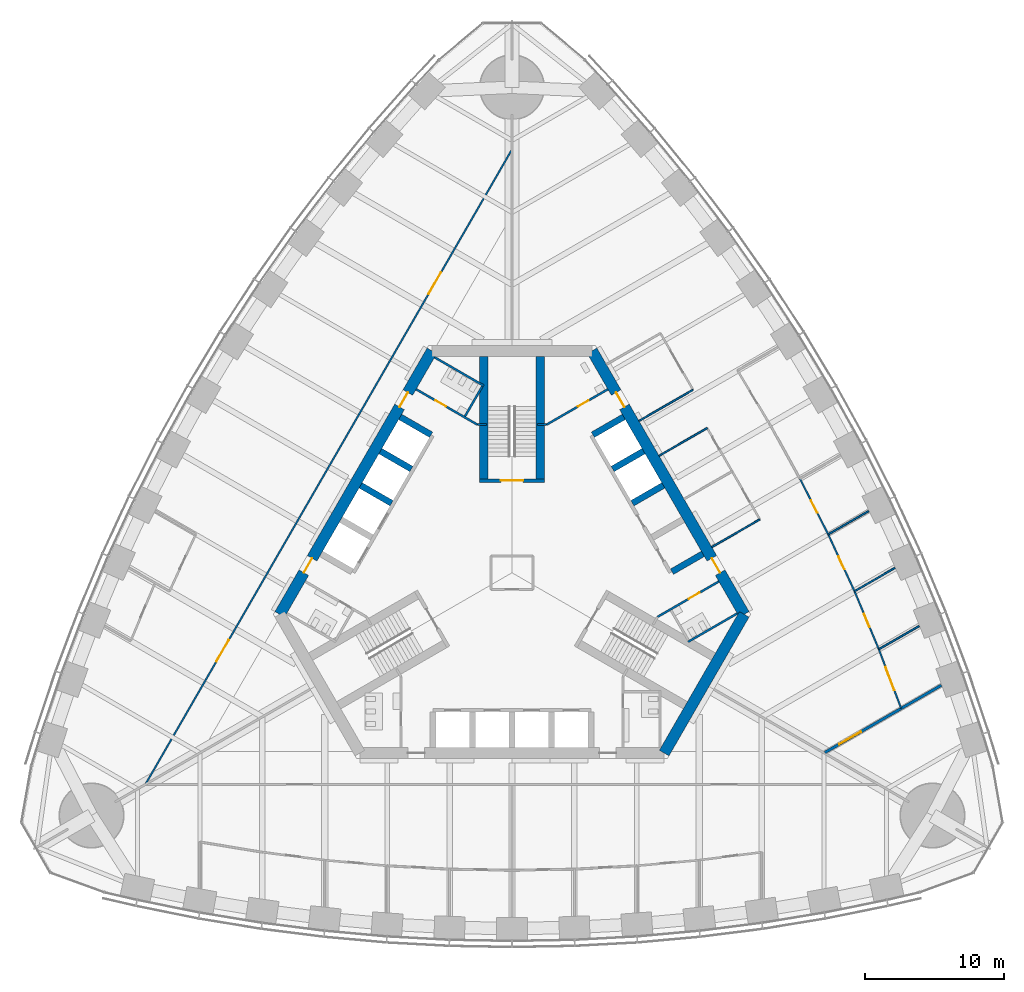
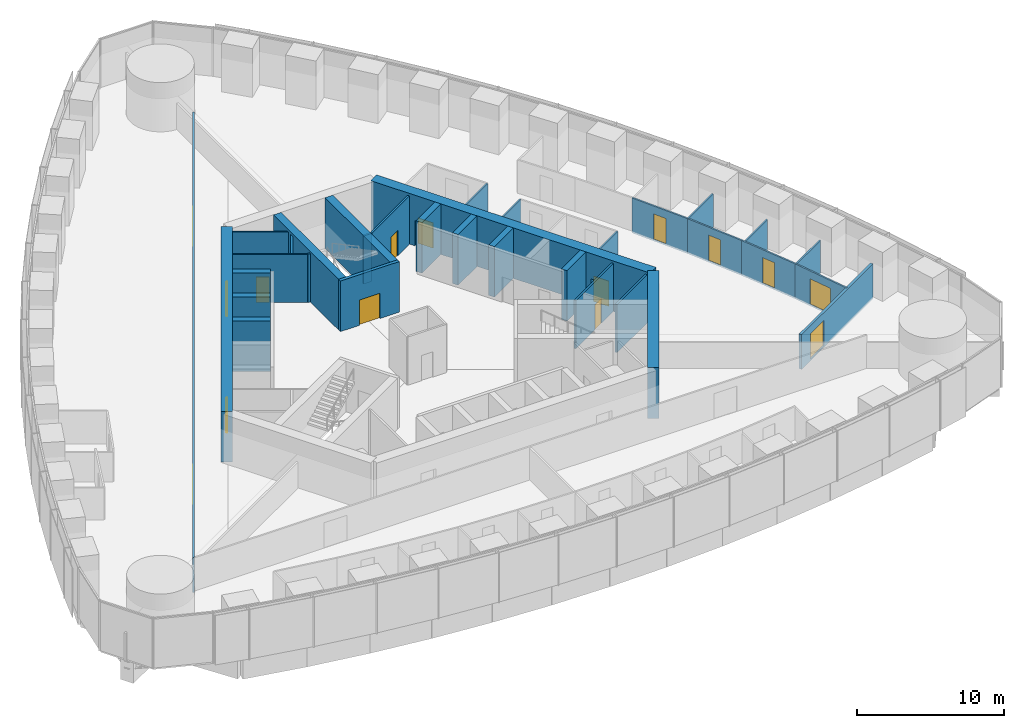
# One storey, part 12 of 18: 33 walls, 15 doors, 15 openings.
"""IFC4 building model written with IfcOpenShell, lengths in metres."""

from ifc_helpers import new_model, si_unit, direction, frame, frame_2d, origin, place, context, subcontext, project, spatial, rectangle, extrude, material, layer, layer_set, type_object, element, fill, save


model = new_model("IFC4")

# Units and contexts
model_context = context("Model", 3, precision=1e-05, world=origin(), true_north=direction((0.0, 1.0)))
body_context = subcontext(model_context, "Body", "Model", "MODEL_VIEW")
ifc_project = project(units=[si_unit("LENGTHUNIT", "METRE"), si_unit("AREAUNIT", "SQUARE_METRE"), si_unit("VOLUMEUNIT", "CUBIC_METRE"), si_unit("PLANEANGLEUNIT", "RADIAN"), si_unit("MASSUNIT", "GRAM", prefix="KILO")], contexts=[model_context])

# Site, building, storey
site_placement = place(None, origin())
site = spatial("IfcSite", under=ifc_project, at=site_placement, CompositionType="ELEMENT")
building_placement = place(site_placement, origin())
building = spatial("IfcBuilding", under=site, at=building_placement, Name="Trefoil Bronze Tower", CompositionType="ELEMENT")
storey_placement = place(building_placement, frame((0.0, 0.0, 111.5)))
storey = spatial("IfcBuildingStorey", under=building, at=storey_placement, Name="L25", CompositionType="ELEMENT", Elevation=111.5)

# Wall, opening, door
ifc_material_1 = material(Name="Gypsum board on steel studs", Category="steel")
ifc_layer_1 = layer(ifc_material_1, 0.199951171875)
ifc_layer_set_1 = layer_set([ifc_layer_1], Name="Acoustic partition 200")
wall_type_1 = type_object("IfcWallType", Name="Acoustic partition 200", PredefinedType="PARTITIONING", material=ifc_layer_set_1)
wall_1_placement = place(storey_placement, frame((22.552978515625, -12.959716796875, 0.0), z_axis=(0.0, 0.0, 1.0), x_axis=(0.866028367999, 0.499994865794, 0.0)))
wall_1 = element("IfcWall", 1, at=wall_1_placement, inside=storey, type_object=wall_type_1, Name="Partition F2 L25", PredefinedType="PARTITIONING", context=body_context, shape_type="SweptSolid", body=[
    extrude(rectangle(XDim=9.697265625, YDim=0.199951171875, at=frame_2d((4.8486328125, 0.0))), origin(), (0.0, 0.0, 1.0), 2.89990234375),
])
opening_1_placement = place(wall_1_placement, frame((1.199951171875, 0.0, 0.14990234375)))
opening_1 = element("IfcOpeningElement", 2, at=opening_1_placement, cuts=wall_1, Name="Opening D10", PredefinedType="OPENING", context=body_context, shape_type="SweptSolid", body=[
    extrude(rectangle(XDim=1.800048828125, YDim=2.10009765625, at=frame_2d((0.89990234375, 1.050048828125))), frame((0.0, 0.10986328125, 0.0), z_axis=(0.0, -1.0, 0.0), x_axis=(1.0, 0.0, 0.0)), (0.0, 0.0, 1.0), 0.219970703125),
])
ifc_material_2 = material(Name="Timber door", Category="wood")
door_type_1 = type_object("IfcDoorType", Name="Double door 1800", OperationType="DOUBLE_DOOR_SINGLE_SWING", PredefinedType="DOOR", material=ifc_material_2)
door_1_placement = place(opening_1_placement, frame((1.800048828125, 0.0, 0.0), z_axis=(0.0, 0.0, 1.0), x_axis=(-1.0, 0.0, 0.0)))
door_1 = element("IfcDoor", 3, at=door_1_placement, inside=storey, type_object=door_type_1, Name="Boardroom door F2 L25", OperationType="DOUBLE_DOOR_SINGLE_SWING", OverallHeight=2.10009765625, OverallWidth=1.800048828125, PredefinedType="DOOR", context=body_context, shape_type="SweptSolid", body=[
    extrude(rectangle(XDim=1.800048828125, YDim=2.10009765625, at=frame_2d((0.89990234375, 1.050048828125))), frame((0.0, 0.02490234375, 0.0), z_axis=(0.0, -1.0, 0.0), x_axis=(1.0, 0.0, 0.0)), (0.0, 0.0, 1.0), 0.050048828125),
])
fill(opening_1, door_1)

# Wall
ifc_material_3 = material(Name="Concrete B80", Category="concrete")
ifc_layer_2 = layer(ifc_material_3, 0.800048828125)
ifc_layer_set_2 = layer_set([ifc_layer_2], Name="Core wall 800")
wall_type_2 = type_object("IfcWallType", Name="Core wall 800", PredefinedType="SHEAR", material=ifc_layer_set_2)
wall_2_placement = place(storey_placement, frame((10.9697265625, -13.0, 0.0), z_axis=(0.0, 0.0, 1.0), x_axis=(0.499995765644, 0.866027848477, 0.0)))
element("IfcWall", 4, at=wall_2_placement, inside=storey, type_object=wall_type_2, Name="Core short wall 1 L25", PredefinedType="SHEAR", context=body_context, shape_type="SweptSolid", body=[
    extrude(rectangle(XDim=11.546875, YDim=0.800048828125, at=frame_2d((5.7734375, 0.0))), origin(), (0.0, 0.0, 1.0), 4.199951171875),
])

# Wall, openings, doors
wall_3_placement = place(storey_placement, frame((16.7431640625, -3.0, 0.0), z_axis=(0.0, 0.0, 1.0), x_axis=(-0.500002442456, 0.866023993627, 0.0)))
wall_3 = element("IfcWall", 5, at=wall_3_placement, inside=storey, type_object=wall_type_2, Name="Core long wall 2 L25", PredefinedType="SHEAR", context=body_context, shape_type="SweptSolid", body=[
    extrude(rectangle(XDim=21.939453125, YDim=0.800048828125, at=frame_2d((10.9697265625, 0.0))), origin(), (0.0, 0.0, 1.0), 4.199951171875),
])
opening_2_placement = place(wall_3_placement, frame((17.269775390625, 0.0, 0.0)))
opening_2 = element("IfcOpeningElement", 6, at=opening_2_placement, cuts=wall_3, Name="Opening D2", PredefinedType="OPENING", context=body_context, shape_type="SweptSolid", body=[
    extrude(rectangle(XDim=1.199951171875, YDim=2.10009765625, at=frame_2d((0.60009765625, 1.050048828125))), frame((0.0, 0.409912109375, 0.0), z_axis=(0.0, -1.0, 0.0), x_axis=(1.0, 0.0, 0.0)), (0.0, 0.0, 1.0), 0.820068359375),
])
opening_3_placement = place(wall_3_placement, frame((3.4697265625, 0.0, 0.0)))
opening_3 = element("IfcOpeningElement", 7, at=opening_3_placement, cuts=wall_3, Name="Opening D2", PredefinedType="OPENING", context=body_context, shape_type="SweptSolid", body=[
    extrude(rectangle(XDim=1.199951171875, YDim=2.10009765625, at=frame_2d((0.60009765625, 1.050048828125))), frame((0.0, 0.409912109375, 0.0), z_axis=(0.0, -1.0, 0.0), x_axis=(1.0, 0.0, 0.0)), (0.0, 0.0, 1.0), 0.820068359375),
])
ifc_material_4 = material(Name="Steel door", Category="steel")
door_type_2 = type_object("IfcDoorType", Name="Lobby door 1200", OperationType="SINGLE_SWING_RIGHT", PredefinedType="DOOR", material=ifc_material_4)
door_2_placement = place(opening_2_placement, origin())
door_2 = element("IfcDoor", 8, at=door_2_placement, inside=storey, type_object=door_type_2, Name="Lobby door F2+ L25", OperationType="SINGLE_SWING_RIGHT", OverallHeight=2.10009765625, OverallWidth=1.199951171875, PredefinedType="DOOR", context=body_context, shape_type="SweptSolid", body=[
    extrude(rectangle(XDim=1.199951171875, YDim=2.10009765625, at=frame_2d((0.60009765625, 1.050048828125))), frame((0.0, 0.02490234375, 0.0), z_axis=(0.0, -1.0, 0.0), x_axis=(1.0, 0.0, 0.0)), (0.0, 0.0, 1.0), 0.050048828125),
])
fill(opening_2, door_2)
door_3_placement = place(opening_3_placement, origin())
door_3 = element("IfcDoor", 9, at=door_3_placement, inside=storey, type_object=door_type_2, Name="Lobby door F2- L25", OperationType="SINGLE_SWING_LEFT", OverallHeight=2.10009765625, OverallWidth=1.199951171875, PredefinedType="DOOR", context=body_context, shape_type="SweptSolid", body=[
    extrude(rectangle(XDim=1.199951171875, YDim=2.10009765625, at=frame_2d((0.60009765625, 1.050048828125))), frame((0.0, 0.02490234375, 0.0), z_axis=(0.0, -1.0, 0.0), x_axis=(1.0, 0.0, 0.0)), (0.0, 0.0, 1.0), 0.050048828125),
])
fill(opening_3, door_3)

wall_4_placement = place(storey_placement, frame((-5.7734375, 16.0, 0.0), z_axis=(0.0, 0.0, 1.0), x_axis=(-0.500002442456, -0.866023993627, 0.0)))
wall_4 = element("IfcWall", 10, at=wall_4_placement, inside=storey, type_object=wall_type_2, Name="Core long wall 3 L25", PredefinedType="SHEAR", context=body_context, shape_type="SweptSolid", body=[
    extrude(rectangle(XDim=21.939453125, YDim=0.800048828125, at=frame_2d((10.9697265625, 0.0))), origin(), (0.0, 0.0, 1.0), 4.199951171875),
])
opening_4_placement = place(wall_4_placement, frame((17.269775390625, 0.0, 0.0)))
opening_4 = element("IfcOpeningElement", 11, at=opening_4_placement, cuts=wall_4, Name="Opening D2", PredefinedType="OPENING", context=body_context, shape_type="SweptSolid", body=[
    extrude(rectangle(XDim=1.199951171875, YDim=2.10009765625, at=frame_2d((0.60009765625, 1.050048828125))), frame((0.0, 0.409912109375, 0.0), z_axis=(0.0, -1.0, 0.0), x_axis=(1.0, 0.0, 0.0)), (0.0, 0.0, 1.0), 0.820068359375),
])
opening_5_placement = place(wall_4_placement, frame((3.4697265625, 0.0, 0.0)))
opening_5 = element("IfcOpeningElement", 12, at=opening_5_placement, cuts=wall_4, Name="Opening D2", PredefinedType="OPENING", context=body_context, shape_type="SweptSolid", body=[
    extrude(rectangle(XDim=1.199951171875, YDim=2.10009765625, at=frame_2d((0.60009765625, 1.050048828125))), frame((0.0, 0.409912109375, 0.0), z_axis=(0.0, -1.0, 0.0), x_axis=(1.0, 0.0, 0.0)), (0.0, 0.0, 1.0), 0.820068359375),
])
door_4_placement = place(opening_4_placement, origin())
door_4 = element("IfcDoor", 13, at=door_4_placement, inside=storey, type_object=door_type_2, Name="Lobby door F3+ L25", OperationType="SINGLE_SWING_RIGHT", OverallHeight=2.10009765625, OverallWidth=1.199951171875, PredefinedType="DOOR", context=body_context, shape_type="SweptSolid", body=[
    extrude(rectangle(XDim=1.199951171875, YDim=2.10009765625, at=frame_2d((0.60009765625, 1.050048828125))), frame((0.0, 0.02490234375, 0.0), z_axis=(0.0, -1.0, 0.0), x_axis=(1.0, 0.0, 0.0)), (0.0, 0.0, 1.0), 0.050048828125),
])
fill(opening_4, door_4)
door_5_placement = place(opening_5_placement, origin())
door_5 = element("IfcDoor", 14, at=door_5_placement, inside=storey, type_object=door_type_2, Name="Lobby door F3- L25", OperationType="SINGLE_SWING_LEFT", OverallHeight=2.10009765625, OverallWidth=1.199951171875, PredefinedType="DOOR", context=body_context, shape_type="SweptSolid", body=[
    extrude(rectangle(XDim=1.199951171875, YDim=2.10009765625, at=frame_2d((0.60009765625, 1.050048828125))), frame((0.0, 0.02490234375, 0.0), z_axis=(0.0, -1.0, 0.0), x_axis=(1.0, 0.0, 0.0)), (0.0, 0.0, 1.0), 0.050048828125),
])
fill(opening_5, door_5)

# Walls
ifc_material_5 = material(Name="Glazed partition", Category="glass")
ifc_layer_3 = layer(ifc_material_5, 0.1201171875)
ifc_layer_set_3 = layer_set([ifc_layer_3], Name="Glazed partition 120")
wall_type_3 = type_object("IfcWallType", Name="Glazed partition 120", PredefinedType="PARTITIONING", material=ifc_layer_set_3)
wall_5_placement = place(storey_placement, frame((10.604736328125, 8.43212890625, 0.0), z_axis=(0.0, 0.0, 1.0), x_axis=(0.866026010844, 0.49999894854, 0.0)))
element("IfcWall", 15, at=wall_5_placement, inside=storey, type_object=wall_type_3, Name="Partition F2 L25", PredefinedType="PARTITIONING", context=body_context, shape_type="SweptSolid", body=[
    extrude(rectangle(XDim=4.0, YDim=0.1201171875, at=frame_2d((2.0, 0.0))), origin(), (0.0, 0.0, 1.0), 2.89990234375),
])
wall_6_placement = place(storey_placement, frame((9.15478515625, 10.943603515625, 0.0), z_axis=(0.0, 0.0, 1.0), x_axis=(0.866017533419, 0.500013631625, 0.0)))
element("IfcWall", 16, at=wall_6_placement, inside=storey, type_object=wall_type_3, Name="Partition F2 L25", PredefinedType="PARTITIONING", context=body_context, shape_type="SweptSolid", body=[
    extrude(rectangle(XDim=4.499755859375, YDim=0.1201171875, at=frame_2d((2.25, 0.0))), origin(), (0.0, 0.0, 1.0), 2.89990234375),
])
wall_7_placement = place(storey_placement, frame((14.40478515625, 1.850341796875, 0.0), z_axis=(0.0, 0.0, 1.0), x_axis=(0.866026010844, 0.49999894854, 0.0)))
element("IfcWall", 17, at=wall_7_placement, inside=storey, type_object=wall_type_3, Name="Partition F2 L25", PredefinedType="PARTITIONING", context=body_context, shape_type="SweptSolid", body=[
    extrude(rectangle(XDim=4.0, YDim=0.1201171875, at=frame_2d((2.0, 0.0))), origin(), (0.0, 0.0, 1.0), 2.89990234375),
])

# Wall, opening, door
wall_8_placement = place(storey_placement, frame((24.692138671875, -1.33251953125, 0.0), z_axis=(0.0, 0.0, 1.0), x_axis=(-0.41992827805, 0.90755729367, 0.0)))
wall_8 = element("IfcWall", 18, at=wall_8_placement, inside=storey, type_object=wall_type_3, Name="Partition F2 L25", PredefinedType="PARTITIONING", context=body_context, shape_type="SweptSolid", body=[
    extrude(rectangle(XDim=4.5185546875, YDim=0.1201171875, at=frame_2d((2.25927734375, 0.0))), origin(), (0.0, 0.0, 1.0), 2.89990234375),
])
opening_6_placement = place(wall_8_placement, frame((1.75, 0.0, 0.14990234375)))
opening_6 = element("IfcOpeningElement", 19, at=opening_6_placement, cuts=wall_8, Name="Opening D9", PredefinedType="OPENING", context=body_context, shape_type="SweptSolid", body=[
    extrude(rectangle(XDim=1.0, YDim=2.10009765625, at=frame_2d((0.5, 1.050048828125))), frame((0.0, 0.070068359375, 0.0), z_axis=(0.0, -1.0, 0.0), x_axis=(1.0, 0.0, 0.0)), (0.0, 0.0, 1.0), 0.14013671875),
])
ifc_material_6 = material(Name="Glazed timber door", Category="wood")
door_type_3 = type_object("IfcDoorType", Name="Meeting room door 1000", OperationType="SINGLE_SWING_LEFT", PredefinedType="DOOR", material=ifc_material_6)
door_6_placement = place(opening_6_placement, frame((1.0, 0.0, 0.0), z_axis=(0.0, 0.0, 1.0), x_axis=(-1.0, 0.0, 0.0)))
door_6 = element("IfcDoor", 20, at=door_6_placement, inside=storey, type_object=door_type_3, Name="Client meeting room door F2 L25", OperationType="SINGLE_SWING_RIGHT", OverallHeight=2.10009765625, OverallWidth=1.0, PredefinedType="DOOR", context=body_context, shape_type="SweptSolid", body=[
    extrude(rectangle(XDim=1.0, YDim=2.10009765625, at=frame_2d((0.5, 1.050048828125))), frame((0.0, 0.02490234375, 0.0), z_axis=(0.0, -1.0, 0.0), x_axis=(1.0, 0.0, 0.0)), (0.0, 0.0, 1.0), 0.050048828125),
])
fill(opening_6, door_6)

wall_9_placement = place(storey_placement, frame((26.446533203125, -5.515625, 0.0), z_axis=(0.0, 0.0, 1.0), x_axis=(-0.386762112496, 0.922179520667, 0.0)))
wall_9 = element("IfcWall", 21, at=wall_9_placement, inside=storey, type_object=wall_type_3, Name="Partition F2 L25", PredefinedType="PARTITIONING", context=body_context, shape_type="SweptSolid", body=[
    extrude(rectangle(XDim=4.5361328125, YDim=0.1201171875, at=frame_2d((2.26806640625, 0.0))), origin(), (0.0, 0.0, 1.0), 2.89990234375),
])
opening_7_placement = place(wall_9_placement, frame((1.75, 0.0, 0.14990234375)))
opening_7 = element("IfcOpeningElement", 22, at=opening_7_placement, cuts=wall_9, Name="Opening D9", PredefinedType="OPENING", context=body_context, shape_type="SweptSolid", body=[
    extrude(rectangle(XDim=1.0, YDim=2.10009765625, at=frame_2d((0.5, 1.050048828125))), frame((0.0, 0.070068359375, 0.0), z_axis=(0.0, -1.0, 0.0), x_axis=(1.0, 0.0, 0.0)), (0.0, 0.0, 1.0), 0.14013671875),
])
door_7_placement = place(opening_7_placement, frame((1.0, 0.0, 0.0), z_axis=(0.0, 0.0, 1.0), x_axis=(-1.0, 0.0, 0.0)))
door_7 = element("IfcDoor", 23, at=door_7_placement, inside=storey, type_object=door_type_3, Name="Client meeting room door F2 L25", OperationType="SINGLE_SWING_RIGHT", OverallHeight=2.10009765625, OverallWidth=1.0, PredefinedType="DOOR", context=body_context, shape_type="SweptSolid", body=[
    extrude(rectangle(XDim=1.0, YDim=2.10009765625, at=frame_2d((0.5, 1.050048828125))), frame((0.0, 0.02490234375, 0.0), z_axis=(0.0, -1.0, 0.0), x_axis=(1.0, 0.0, 0.0)), (0.0, 0.0, 1.0), 0.050048828125),
])
fill(opening_7, door_7)

wall_10_placement = place(storey_placement, frame((28.055908203125, -9.78271484375, 0.0), z_axis=(0.0, 0.0, 1.0), x_axis=(-0.352894560512, 0.93566309597, 0.0)))
wall_10 = element("IfcWall", 24, at=wall_10_placement, inside=storey, type_object=wall_type_3, Name="Partition F2 L25", PredefinedType="PARTITIONING", context=body_context, shape_type="SweptSolid", body=[
    extrude(rectangle(XDim=4.560546875, YDim=0.1201171875, at=frame_2d((2.2802734375, 0.0))), origin(), (0.0, 0.0, 1.0), 2.89990234375),
])
opening_8_placement = place(wall_10_placement, frame((1.39990234375, 0.0, 0.14990234375)))
opening_8 = element("IfcOpeningElement", 25, at=opening_8_placement, cuts=wall_10, Name="Opening D10", PredefinedType="OPENING", context=body_context, shape_type="SweptSolid", body=[
    extrude(rectangle(XDim=1.800048828125, YDim=2.10009765625, at=frame_2d((0.89990234375, 1.050048828125))), frame((0.0, 0.070068359375, 0.0), z_axis=(0.0, -1.0, 0.0), x_axis=(1.0, 0.0, 0.0)), (0.0, 0.0, 1.0), 0.14013671875),
])
door_8_placement = place(opening_8_placement, frame((1.800048828125, 0.0, 0.0), z_axis=(0.0, 0.0, 1.0), x_axis=(-1.0, 0.0, 0.0)))
door_8 = element("IfcDoor", 26, at=door_8_placement, inside=storey, type_object=door_type_1, Name="Servery door F2 L25", OperationType="DOUBLE_DOOR_SINGLE_SWING", OverallHeight=2.10009765625, OverallWidth=1.800048828125, PredefinedType="DOOR", context=body_context, shape_type="SweptSolid", body=[
    extrude(rectangle(XDim=1.800048828125, YDim=2.10009765625, at=frame_2d((0.89990234375, 1.050048828125))), frame((0.0, 0.02490234375, 0.0), z_axis=(0.0, -1.0, 0.0), x_axis=(1.0, 0.0, 0.0)), (0.0, 0.0, 1.0), 0.050048828125),
])
fill(opening_8, door_8)

wall_11_placement = place(storey_placement, frame((22.794677734375, 2.768310546875, 0.0), z_axis=(0.0, 0.0, 1.0), x_axis=(-0.452471679136, 0.891778772779, 0.0)))
wall_11 = element("IfcWall", 27, at=wall_11_placement, inside=storey, type_object=wall_type_3, Name="Partition F2 L25", PredefinedType="PARTITIONING", context=body_context, shape_type="SweptSolid", body=[
    extrude(rectangle(XDim=4.506591796875, YDim=0.1201171875, at=frame_2d((2.25341796875, 0.0))), origin(), (0.0, 0.0, 1.0), 2.89990234375),
])
opening_9_placement = place(wall_11_placement, frame((1.75, 0.0, 0.14990234375)))
opening_9 = element("IfcOpeningElement", 28, at=opening_9_placement, cuts=wall_11, Name="Opening D9", PredefinedType="OPENING", context=body_context, shape_type="SweptSolid", body=[
    extrude(rectangle(XDim=1.0, YDim=2.10009765625, at=frame_2d((0.5, 1.050048828125))), frame((0.0, 0.070068359375, 0.0), z_axis=(0.0, -1.0, 0.0), x_axis=(1.0, 0.0, 0.0)), (0.0, 0.0, 1.0), 0.14013671875),
])
door_9_placement = place(opening_9_placement, frame((1.0, 0.0, 0.0), z_axis=(0.0, 0.0, 1.0), x_axis=(-1.0, 0.0, 0.0)))
door_9 = element("IfcDoor", 29, at=door_9_placement, inside=storey, type_object=door_type_3, Name="Client meeting room door F2 L25", OperationType="SINGLE_SWING_RIGHT", OverallHeight=2.10009765625, OverallWidth=1.0, PredefinedType="DOOR", context=body_context, shape_type="SweptSolid", body=[
    extrude(rectangle(XDim=1.0, YDim=2.10009765625, at=frame_2d((0.5, 1.050048828125))), frame((0.0, 0.02490234375, 0.0), z_axis=(0.0, -1.0, 0.0), x_axis=(1.0, 0.0, 0.0)), (0.0, 0.0, 1.0), 0.050048828125),
])
fill(opening_9, door_9)

# Walls
wall_12_placement = place(storey_placement, frame((24.692138671875, -1.33251953125, 0.0), z_axis=(0.0, 0.0, 1.0), x_axis=(0.866025882247, 0.499999171277, 0.0)))
element("IfcWall", 30, at=wall_12_placement, inside=storey, type_object=wall_type_3, Name="Partition F2 L25", PredefinedType="PARTITIONING", context=body_context, shape_type="SweptSolid", body=[
    extrude(rectangle(XDim=3.3603515625, YDim=0.1201171875, at=frame_2d((1.68017578125, 0.0))), origin(), (0.0, 0.0, 1.0), 2.60009765625),
])
wall_13_placement = place(storey_placement, frame((26.446533203125, -5.515625, 0.0), z_axis=(0.0, 0.0, 1.0), x_axis=(0.866025533106, 0.499999776008, 0.0)))
element("IfcWall", 31, at=wall_13_placement, inside=storey, type_object=wall_type_3, Name="Partition F2 L25", PredefinedType="PARTITIONING", context=body_context, shape_type="SweptSolid", body=[
    extrude(rectangle(XDim=3.35302734375, YDim=0.1201171875, at=frame_2d((1.676513671875, 0.0))), origin(), (0.0, 0.0, 1.0), 2.800048828125),
])
wall_14_placement = place(storey_placement, frame((22.794677734375, 2.768310546875, 0.0), z_axis=(0.0, 0.0, 1.0), x_axis=(0.866024928363, 0.500000823453, 0.0)))
element("IfcWall", 32, at=wall_14_placement, inside=storey, type_object=wall_type_3, Name="Partition F2 L25", PredefinedType="PARTITIONING", context=body_context, shape_type="SweptSolid", body=[
    extrude(rectangle(XDim=3.36572265625, YDim=0.1201171875, at=frame_2d((1.682861328125, 0.0))), origin(), (0.0, 0.0, 1.0), 2.89990234375),
])

# Wall, openings, doors
wall_15_placement = place(storey_placement, frame((-0.016357421875, 30.491455078125, 0.0), z_axis=(0.0, 0.0, 1.0), x_axis=(-0.50000091641, -0.866024874695, 0.0)))
wall_15 = element("IfcWall", 33, at=wall_15_placement, inside=storey, type_object=wall_type_3, Name="Partition F3 L25", PredefinedType="PARTITIONING", context=body_context, shape_type="SweptSolid", body=[
    extrude(rectangle(XDim=52.79638671875, YDim=0.1201171875, at=frame_2d((26.398193359375, 0.0))), origin(), (0.0, 0.0, 1.0), 2.89990234375),
])
opening_10_placement = place(wall_15_placement, frame((10.199951171875, 0.0, 0.14990234375)))
opening_10 = element("IfcOpeningElement", 34, at=opening_10_placement, cuts=wall_15, Name="Opening D10", PredefinedType="OPENING", context=body_context, shape_type="SweptSolid", body=[
    extrude(rectangle(XDim=1.800048828125, YDim=2.10009765625, at=frame_2d((0.89990234375, 1.050048828125))), frame((0.0, 0.070068359375, 0.0), z_axis=(0.0, -1.0, 0.0), x_axis=(1.0, 0.0, 0.0)), (0.0, 0.0, 1.0), 0.14013671875),
])
opening_11_placement = place(wall_15_placement, frame((40.800048828125, 0.0, 0.14990234375)))
opening_11 = element("IfcOpeningElement", 35, at=opening_11_placement, cuts=wall_15, Name="Opening D10", PredefinedType="OPENING", context=body_context, shape_type="SweptSolid", body=[
    extrude(rectangle(XDim=1.800048828125, YDim=2.10009765625, at=frame_2d((0.89990234375, 1.050048828125))), frame((0.0, 0.070068359375, 0.0), z_axis=(0.0, -1.0, 0.0), x_axis=(1.0, 0.0, 0.0)), (0.0, 0.0, 1.0), 0.14013671875),
])
door_10_placement = place(opening_10_placement, origin())
door_10 = element("IfcDoor", 36, at=door_10_placement, inside=storey, type_object=door_type_1, Name="Corridor door F3 L25", OperationType="DOUBLE_DOOR_SINGLE_SWING", OverallHeight=2.10009765625, OverallWidth=1.800048828125, PredefinedType="DOOR", context=body_context, shape_type="SweptSolid", body=[
    extrude(rectangle(XDim=1.800048828125, YDim=2.10009765625, at=frame_2d((0.89990234375, 1.050048828125))), frame((0.0, 0.02490234375, 0.0), z_axis=(0.0, -1.0, 0.0), x_axis=(1.0, 0.0, 0.0)), (0.0, 0.0, 1.0), 0.050048828125),
])
fill(opening_10, door_10)
door_11_placement = place(opening_11_placement, origin())
door_11 = element("IfcDoor", 37, at=door_11_placement, inside=storey, type_object=door_type_1, Name="Corridor door F3 L25", OperationType="DOUBLE_DOOR_SINGLE_SWING", OverallHeight=2.10009765625, OverallWidth=1.800048828125, PredefinedType="DOOR", context=body_context, shape_type="SweptSolid", body=[
    extrude(rectangle(XDim=1.800048828125, YDim=2.10009765625, at=frame_2d((0.89990234375, 1.050048828125))), frame((0.0, 0.02490234375, 0.0), z_axis=(0.0, -1.0, 0.0), x_axis=(1.0, 0.0, 0.0)), (0.0, 0.0, 1.0), 0.050048828125),
])
fill(opening_11, door_11)

# Walls
ifc_material_7 = material(Name="Concrete B80", Category="concrete")
ifc_layer_4 = layer(ifc_material_7, 0.449951171875)
ifc_layer_set_4 = layer_set([ifc_layer_4], Name="Outrigger shaft wall 450")
wall_type_4 = type_object("IfcWallType", Name="Outrigger shaft wall 450", PredefinedType="SHEAR", material=ifc_layer_set_4)
for number, where, z_axis, x_axis, name in (
    (38, (11.531982421875, 0.076171875, 0.0), (0.0, 0.0, 1.0), (0.866005588531, 0.500034319456, 0.0), "Lift shaft side wall B0 L25"),
    (39, (8.681884765625, 5.012451171875, 0.0), (0.0, 0.0, 1.0), (0.866005588531, 0.500034319456, 0.0), "Lift shaft side wall B2 L25"),
    (40, (7.2568359375, 7.480712890625, 0.0), (0.0, 0.0, 1.0), (0.866046643894, 0.499963209246, 0.0), "Lift shaft side wall B3 L25"),
):
    element("IfcWall", number, at=place(storey_placement, frame(where, z_axis=z_axis, x_axis=x_axis)), inside=storey, type_object=wall_type_4, Name=name, PredefinedType="SHEAR", context=body_context, shape_type="SweptSolid", body=[
        extrude(rectangle(XDim=2.574951171875, YDim=0.449951171875, at=frame_2d((1.28759765625, 0.0))), origin(), (0.0, 0.0, 1.0), 4.199951171875),
    ])
for number, where, z_axis, x_axis, name in (
    (41, (5.831787109375, 9.94873046875, 0.0), (0.0, 0.0, 1.0), (0.866029291668, 0.499993265928, 0.0), "Lift shaft side wall B4 L25"),
    (42, (-5.831787109375, 9.94873046875, 0.0), (0.0, 0.0, 1.0), (-0.866029291668, 0.499993265928, 0.0), "Lift shaft side wall C0 L25"),
):
    element("IfcWall", number, at=place(storey_placement, frame(where, z_axis=z_axis, x_axis=x_axis)), inside=storey, type_object=wall_type_4, Name=name, PredefinedType="SHEAR", context=body_context, shape_type="SweptSolid", body=[
        extrude(rectangle(XDim=2.5751953125, YDim=0.449951171875, at=frame_2d((1.28759765625, 0.0))), origin(), (0.0, 0.0, 1.0), 4.199951171875),
    ])
for number, where, z_axis, x_axis, name in (
    (43, (-7.2568359375, 7.480712890625, 0.0), (0.0, 0.0, 1.0), (-0.866046643894, 0.499963209246, 0.0), "Lift shaft side wall C1 L25"),
    (44, (-8.681884765625, 5.012451171875, 0.0), (0.0, 0.0, 1.0), (-0.866005588531, 0.500034319456, 0.0), "Lift shaft side wall C2 L25"),
):
    element("IfcWall", number, at=place(storey_placement, frame(where, z_axis=z_axis, x_axis=x_axis)), inside=storey, type_object=wall_type_4, Name=name, PredefinedType="SHEAR", context=body_context, shape_type="SweptSolid", body=[
        extrude(rectangle(XDim=2.574951171875, YDim=0.449951171875, at=frame_2d((1.28759765625, 0.0))), origin(), (0.0, 0.0, 1.0), 4.199951171875),
    ])

# Wall, opening, door
ifc_material_8 = material(Name="Gypsum board on steel studs", Category="steel")
ifc_layer_5 = layer(ifc_material_8, 0.14990234375)
ifc_layer_set_5 = layer_set([ifc_layer_5], Name="Partition 150")
wall_type_5 = type_object("IfcWallType", Name="Partition 150", PredefinedType="PARTITIONING", material=ifc_layer_set_5)
wall_16_placement = place(storey_placement, frame((2.4951171875, 10.67822265625, 0.0), z_axis=(0.0, 0.0, 1.0), x_axis=(0.86602216432, 0.500005610874, 0.0)))
wall_16 = element("IfcWall", 45, at=wall_16_placement, inside=storey, type_object=wall_type_5, Name="Passage wall F2+ L25", PredefinedType="PARTITIONING", context=body_context, shape_type="SweptSolid", body=[
    extrude(rectangle(XDim=5.10009765625, YDim=0.14990234375, at=frame_2d((2.550048828125, 0.0))), origin(), (0.0, 0.0, 1.0), 4.0),
])
opening_12_placement = place(wall_16_placement, frame((2.60009765625, 0.0, 0.0)))
opening_12 = element("IfcOpeningElement", 46, at=opening_12_placement, cuts=wall_16, Name="Opening D3", PredefinedType="OPENING", context=body_context, shape_type="SweptSolid", body=[
    extrude(rectangle(XDim=0.89990234375, YDim=2.10009765625, at=frame_2d((0.449951171875, 1.050048828125))), frame((0.0, 0.0849609375, 0.0), z_axis=(0.0, -1.0, 0.0), x_axis=(1.0, 0.0, 0.0)), (0.0, 0.0, 1.0), 0.169921875),
])
ifc_material_9 = material(Name="Timber door", Category="wood")
door_type_4 = type_object("IfcDoorType", Name="WC door 900", OperationType="SINGLE_SWING_LEFT", PredefinedType="DOOR", material=ifc_material_9)
door_12_placement = place(opening_12_placement, origin())
door_12 = element("IfcDoor", 47, at=door_12_placement, inside=storey, type_object=door_type_4, Name="Accessible WC door L25", OperationType="SINGLE_SWING_RIGHT", OverallHeight=2.10009765625, OverallWidth=0.89990234375, PredefinedType="DOOR", context=body_context, shape_type="SweptSolid", body=[
    extrude(rectangle(XDim=0.89990234375, YDim=2.10009765625, at=frame_2d((0.449951171875, 1.050048828125))), frame((0.0, 0.02490234375, 0.0), z_axis=(0.0, -1.0, 0.0), x_axis=(1.0, 0.0, 0.0)), (0.0, 0.0, 1.0), 0.050048828125),
])
fill(opening_12, door_12)

wall_17_placement = place(storey_placement, frame((10.4951171875, -3.17822265625, 0.0), z_axis=(0.0, 0.0, 1.0), x_axis=(0.86602216432, 0.500005610874, 0.0)))
wall_17 = element("IfcWall", 48, at=wall_17_placement, inside=storey, type_object=wall_type_5, Name="Passage wall F2- L25", PredefinedType="PARTITIONING", context=body_context, shape_type="SweptSolid", body=[
    extrude(rectangle(XDim=5.10009765625, YDim=0.14990234375, at=frame_2d((2.550048828125, 0.0))), origin(), (0.0, 0.0, 1.0), 4.0),
])
opening_13_placement = place(wall_17_placement, frame((2.60009765625, 0.0, 0.0)))
opening_13 = element("IfcOpeningElement", 49, at=opening_13_placement, cuts=wall_17, Name="Opening D3", PredefinedType="OPENING", context=body_context, shape_type="SweptSolid", body=[
    extrude(rectangle(XDim=0.89990234375, YDim=2.10009765625, at=frame_2d((0.449951171875, 1.050048828125))), frame((0.0, 0.0849609375, 0.0), z_axis=(0.0, -1.0, 0.0), x_axis=(1.0, 0.0, 0.0)), (0.0, 0.0, 1.0), 0.169921875),
])
door_13_placement = place(opening_13_placement, frame((0.89990234375, 0.0, 0.0), z_axis=(0.0, 0.0, 1.0), x_axis=(-1.0, 0.0, 0.0)))
door_13 = element("IfcDoor", 50, at=door_13_placement, inside=storey, type_object=door_type_4, Name="WC (women) door L25", OperationType="SINGLE_SWING_RIGHT", OverallHeight=2.10009765625, OverallWidth=0.89990234375, PredefinedType="DOOR", context=body_context, shape_type="SweptSolid", body=[
    extrude(rectangle(XDim=0.89990234375, YDim=2.10009765625, at=frame_2d((0.449951171875, 1.050048828125))), frame((0.0, 0.02490234375, 0.0), z_axis=(0.0, -1.0, 0.0), x_axis=(1.0, 0.0, 0.0)), (0.0, 0.0, 1.0), 0.050048828125),
])
fill(opening_13, door_13)

wall_18_placement = place(storey_placement, frame((-2.4951171875, 10.67822265625, 0.0), z_axis=(0.0, 0.0, 1.0), x_axis=(-0.86602216432, 0.500005610874, 0.0)))
wall_18 = element("IfcWall", 51, at=wall_18_placement, inside=storey, type_object=wall_type_5, Name="Passage wall F3- L25", PredefinedType="PARTITIONING", context=body_context, shape_type="SweptSolid", body=[
    extrude(rectangle(XDim=5.10009765625, YDim=0.14990234375, at=frame_2d((2.550048828125, 0.0))), origin(), (0.0, 0.0, 1.0), 4.0),
])
opening_14_placement = place(wall_18_placement, frame((2.60009765625, 0.0, 0.0)))
opening_14 = element("IfcOpeningElement", 52, at=opening_14_placement, cuts=wall_18, Name="Opening D3", PredefinedType="OPENING", context=body_context, shape_type="SweptSolid", body=[
    extrude(rectangle(XDim=0.89990234375, YDim=2.10009765625, at=frame_2d((0.449951171875, 1.050048828125))), frame((0.0, 0.0849609375, 0.0), z_axis=(0.0, -1.0, 0.0), x_axis=(1.0, 0.0, 0.0)), (0.0, 0.0, 1.0), 0.169921875),
])
door_14_placement = place(opening_14_placement, frame((0.89990234375, 0.0, 0.0), z_axis=(0.0, 0.0, 1.0), x_axis=(-1.0, 0.0, 0.0)))
door_14 = element("IfcDoor", 53, at=door_14_placement, inside=storey, type_object=door_type_4, Name="WC (women) door L25", OperationType="SINGLE_SWING_RIGHT", OverallHeight=2.10009765625, OverallWidth=0.89990234375, PredefinedType="DOOR", context=body_context, shape_type="SweptSolid", body=[
    extrude(rectangle(XDim=0.89990234375, YDim=2.10009765625, at=frame_2d((0.449951171875, 1.050048828125))), frame((0.0, 0.02490234375, 0.0), z_axis=(0.0, -1.0, 0.0), x_axis=(1.0, 0.0, 0.0)), (0.0, 0.0, 1.0), 0.050048828125),
])
fill(opening_14, door_14)

# Walls
for number, where, z_axis, x_axis, name in (
    (54, (2.4951171875, 10.67822265625, 0.0), (0.0, 0.0, 1.0), (-1.0, 0.0, 0.0), "WC wall ST2-1 L25"),
    (55, (-2.4951171875, 10.67822265625, 0.0), (0.0, 0.0, 1.0), (1.0, 0.0, 0.0), "WC wall ST2+1 L25"),
):
    element("IfcWall", number, at=place(storey_placement, frame(where, z_axis=z_axis, x_axis=x_axis)), inside=storey, type_object=wall_type_5, Name=name, PredefinedType="PARTITIONING", context=body_context, shape_type="SweptSolid", body=[
        extrude(rectangle(XDim=0.64501953125, YDim=0.14990234375, at=frame_2d((0.322509765625, 0.0))), origin(), (0.0, 0.0, 1.0), 4.0),
    ])
wall_19_placement = place(storey_placement, frame((12.691162109375, -4.98193359375, 0.0), z_axis=(0.0, 0.0, 1.0), x_axis=(0.8660249478, 0.500000789788, 0.0)))
element("IfcWall", 56, at=wall_19_placement, inside=storey, type_object=wall_type_5, Name="WC partition WC (women) L25", PredefinedType="PARTITIONING", context=body_context, shape_type="SweptSolid", body=[
    extrude(rectangle(XDim=4.10009765625, YDim=0.14990234375, at=frame_2d((2.050048828125, 0.0))), origin(), (0.0, 0.0, 1.0), 4.0),
])
wall_20_placement = place(storey_placement, frame((-2.03125, 13.48193359375, 0.0), z_axis=(0.0, 0.0, 1.0), x_axis=(-0.866050731258, 0.499956128963, 0.0)))
element("IfcWall", 57, at=wall_20_placement, inside=storey, type_object=wall_type_5, Name="WC partition WC (women) L25", PredefinedType="PARTITIONING", context=body_context, shape_type="SweptSolid", body=[
    extrude(rectangle(XDim=4.099853515625, YDim=0.14990234375, at=frame_2d((2.0498046875, 0.0))), origin(), (0.0, 0.0, 1.0), 4.0),
])
wall_21_placement = place(storey_placement, frame((-3.388671875, 11.28076171875, 0.0), z_axis=(0.0, 0.0, 1.0), x_axis=(0.499989096993, 0.866031698547, 0.0)))
element("IfcWall", 58, at=wall_21_placement, inside=storey, type_object=wall_type_5, Name="WC partition WC (women) L25", PredefinedType="PARTITIONING", context=body_context, shape_type="SweptSolid", body=[
    extrude(rectangle(XDim=2.509765625, YDim=0.14990234375, at=frame_2d((1.2548828125, 0.0))), origin(), (0.0, 0.0, 1.0), 4.0),
])

# Wall, opening, door
ifc_material_10 = material(Name="Concrete B80", Category="concrete")
ifc_layer_6 = layer(ifc_material_10, 0.25)
ifc_layer_set_6 = layer_set([ifc_layer_6], Name="Shaft wall 250")
wall_type_6 = type_object("IfcWallType", Name="Shaft wall 250", PredefinedType="SHEAR", material=ifc_layer_set_6)
wall_22_placement = place(storey_placement, frame((2.324951171875, 6.64990234375, 0.0), z_axis=(0.0, 0.0, 1.0), x_axis=(-1.0, 0.0, 0.0)))
wall_22 = element("IfcWall", 59, at=wall_22_placement, inside=storey, type_object=wall_type_6, Name="Stair end wall ST2 L25", PredefinedType="SHEAR", context=body_context, shape_type="SweptSolid", body=[
    extrude(rectangle(XDim=4.64990234375, YDim=0.25, at=frame_2d((2.324951171875, 0.0))), origin(), (0.0, 0.0, 1.0), 4.199951171875),
])
opening_15_placement = place(wall_22_placement, frame((1.52490234375, 0.0, 0.0)))
opening_15 = element("IfcOpeningElement", 60, at=opening_15_placement, cuts=wall_22, Name="Opening D1", PredefinedType="OPENING", context=body_context, shape_type="SweptSolid", body=[
    extrude(rectangle(XDim=1.60009765625, YDim=2.10009765625, at=frame_2d((0.800048828125, 1.050048828125))), frame((0.0, 0.135009765625, 0.0), z_axis=(0.0, -1.0, 0.0), x_axis=(1.0, 0.0, 0.0)), (0.0, 0.0, 1.0), 0.27001953125),
])
ifc_material_11 = material(Name="Steel door", Category="steel")
door_type_5 = type_object("IfcDoorType", Name="Stair door 1600", OperationType="DOUBLE_DOOR_SINGLE_SWING", PredefinedType="DOOR", material=ifc_material_11)
door_15_placement = place(opening_15_placement, frame((1.60009765625, 0.0, 0.0), z_axis=(0.0, 0.0, 1.0), x_axis=(-1.0, 0.0, 0.0)))
door_15 = element("IfcDoor", 61, at=door_15_placement, inside=storey, type_object=door_type_5, Name="Stair door ST2 L25", OperationType="DOUBLE_DOOR_SINGLE_SWING", OverallHeight=2.10009765625, OverallWidth=1.60009765625, PredefinedType="DOOR", context=body_context, shape_type="SweptSolid", body=[
    extrude(rectangle(XDim=1.60009765625, YDim=2.10009765625, at=frame_2d((0.800048828125, 1.050048828125))), frame((0.0, 0.02490234375, 0.0), z_axis=(0.0, -1.0, 0.0), x_axis=(1.0, 0.0, 0.0)), (0.0, 0.0, 1.0), 0.050048828125),
])
fill(opening_15, door_15)

# Walls
ifc_material_12 = material(Name="Concrete B80", Category="concrete")
ifc_layer_7 = layer(ifc_material_12, 0.60009765625)
ifc_layer_set_7 = layer_set([ifc_layer_7], Name="Stair wall 600")
wall_type_7 = type_object("IfcWallType", Name="Stair wall 600", PredefinedType="SHEAR", material=ifc_layer_set_7)
for number, where, z_axis, x_axis, name in (
    (62, (2.02490234375, 6.52490234375, 0.0), (0.0, 0.0, 1.0), (0.0, 1.0, 0.0), "Stair wall ST2 L25"),
    (63, (-2.02490234375, 6.52490234375, 0.0), (0.0, 0.0, 1.0), (0.0, 1.0, 0.0), "Stair wall ST2 L25"),
):
    element("IfcWall", number, at=place(storey_placement, frame(where, z_axis=z_axis, x_axis=x_axis)), inside=storey, type_object=wall_type_7, Name=name, PredefinedType="SHEAR", context=body_context, shape_type="SweptSolid", body=[
        extrude(rectangle(XDim=9.0751953125, YDim=0.60009765625, at=frame_2d((4.53759765625, 0.0))), origin(), (0.0, 0.0, 1.0), 4.199951171875),
    ])

save(model, "model.ifc")
